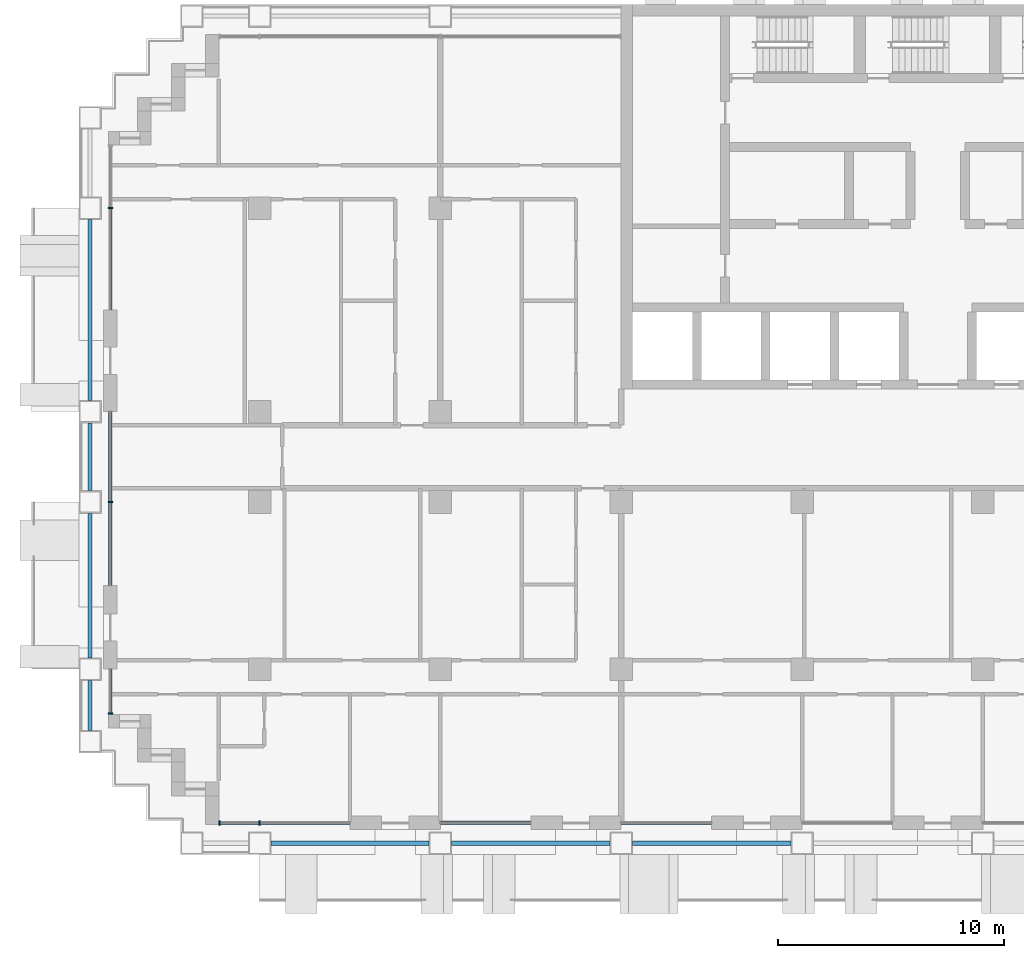
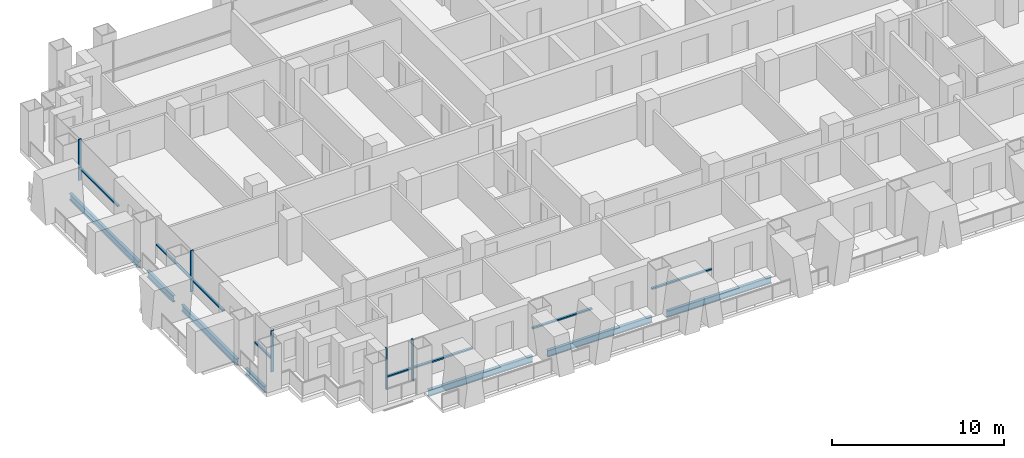
# One storey, part 2 of 18: 13 members, 7 beams, 6 elements without a shape of their own.
"""IFC4 building model written with IfcOpenShell, lengths in metres."""

from ifc_helpers import new_model, si_unit, direction, frame, origin, origin_2d, place, context, subcontext, project, spatial, rectangle, i_section, extrude, material, material_profile, profile_set, type_object, element, aggregate, save


model = new_model("IFC4")

# Units and contexts
model_context = context("Model", 3, precision=1e-05, world=origin(), true_north=direction((0.0, 1.0)))
body_context = subcontext(model_context, "Body", "Model", "MODEL_VIEW")
ifc_project = project(units=[si_unit("LENGTHUNIT", "METRE"), si_unit("AREAUNIT", "SQUARE_METRE"), si_unit("VOLUMEUNIT", "CUBIC_METRE"), si_unit("PLANEANGLEUNIT", "RADIAN"), si_unit("MASSUNIT", "GRAM", prefix="KILO")], contexts=[model_context])

# Site, building, storey
site_placement = place(None, origin())
site = spatial("IfcSite", under=ifc_project, at=site_placement, CompositionType="ELEMENT")
building_placement = place(site_placement, origin())
building = spatial("IfcBuilding", under=site, at=building_placement, Name="Vidyagriha Tower", CompositionType="ELEMENT")
storey_placement = place(building_placement, frame((0.0, 0.0, 51.199951171875)))
storey = spatial("IfcBuildingStorey", under=building, at=storey_placement, Name="L13", CompositionType="ELEMENT", Elevation=51.199951171875)

# Beams
ifc_material_1 = material(Name="Steel ASTM A992 Grade 50", Category="steel")
ifc_material_profile_1 = material_profile(ifc_material_1, i_section(OverallWidth=0.19189453125, OverallDepth=0.46240234375, WebThickness=0.010498046875, FlangeThickness=0.017578125, at=origin_2d()), Name="W18X60")
ifc_profile_set_1 = profile_set([ifc_material_profile_1], Name="Steel ASTM A992 Grade 50")
beam_type = type_object("IfcBeamType", Name="Edge beam W18X60", PredefinedType="SPANDREL", material=ifc_profile_set_1)
for number, where, z_axis, x_axis, name in (
    (1, (-29.5, -17.10009765625, -0.510986328125), (1.0, 0.0, 0.0), (0.0, 1.0, 0.0), "st-beam-L13-S02"),
    (2, (-21.5, -17.10009765625, -0.510986328125), (1.0, 0.0, 0.0), (0.0, 1.0, 0.0), "st-beam-L13-S03"),
    (3, (-13.5, -17.10009765625, -0.510986328125), (1.0, 0.0, 0.0), (0.0, 1.0, 0.0), "st-beam-L13-S04"),
):
    element("IfcBeam", number, at=place(storey_placement, frame(where, z_axis=z_axis, x_axis=x_axis)), inside=storey, type_object=beam_type, Name=name, PredefinedType="SPANDREL", context=body_context, shape_type="SweptSolid", body=[
        extrude(i_section(OverallWidth=0.19189453125, OverallDepth=0.46240234375, WebThickness=0.010498046875, FlangeThickness=0.017578125, at=origin_2d()), origin(), (0.0, 0.0, 1.0), 7.0),
    ])
beam_1_placement = place(storey_placement, frame((-37.5, -12.10009765625, -0.510986328125), z_axis=(0.0, 1.0, 0.0), x_axis=(-1.0, 0.0, 0.0)))
element("IfcBeam", 4, at=beam_1_placement, inside=storey, type_object=beam_type, Name="st-beam-L13-W10", PredefinedType="SPANDREL", context=body_context, shape_type="SweptSolid", body=[
    extrude(i_section(OverallWidth=0.19189453125, OverallDepth=0.46240234375, WebThickness=0.010498046875, FlangeThickness=0.017578125, at=origin_2d()), origin(), (0.0, 0.0, 1.0), 2.2001953125),
])
beam_2_placement = place(storey_placement, frame((-37.5, -8.89990234375, -0.510986328125), z_axis=(0.0, 1.0, 0.0), x_axis=(-1.0, 0.0, 0.0)))
element("IfcBeam", 5, at=beam_2_placement, inside=storey, type_object=beam_type, Name="st-beam-L13-W11", PredefinedType="SPANDREL", context=body_context, shape_type="SweptSolid", body=[
    extrude(i_section(OverallWidth=0.19189453125, OverallDepth=0.46240234375, WebThickness=0.010498046875, FlangeThickness=0.017578125, at=origin_2d()), origin(), (0.0, 0.0, 1.0), 6.39990234375),
])
beam_3_placement = place(storey_placement, frame((-37.5, -1.5, -0.510986328125), z_axis=(0.0, 1.0, 0.0), x_axis=(-1.0, 0.0, 0.0)))
element("IfcBeam", 6, at=beam_3_placement, inside=storey, type_object=beam_type, Name="st-beam-L13-W12", PredefinedType="SPANDREL", context=body_context, shape_type="SweptSolid", body=[
    extrude(i_section(OverallWidth=0.19189453125, OverallDepth=0.46240234375, WebThickness=0.010498046875, FlangeThickness=0.017578125, at=origin_2d()), origin(), (0.0, 0.0, 1.0), 3.0),
])
beam_4_placement = place(storey_placement, frame((-37.5, 2.5, -0.510986328125), z_axis=(0.0, 1.0, 0.0), x_axis=(-1.0, 0.0, 0.0)))
element("IfcBeam", 7, at=beam_4_placement, inside=storey, type_object=beam_type, Name="st-beam-L13-W13", PredefinedType="SPANDREL", context=body_context, shape_type="SweptSolid", body=[
    extrude(i_section(OverallWidth=0.19189453125, OverallDepth=0.46240234375, WebThickness=0.010498046875, FlangeThickness=0.017578125, at=origin_2d()), origin(), (0.0, 0.0, 1.0), 8.0),
])

# Curtain wall, member
ifc_material_2 = material(Name="Aluminium and glass curtain wall", Category="aluminium")
curtain_wall_type = type_object("IfcCurtainWallType", Name="Dwelling skin unitised curtain wall", PredefinedType="USERDEFINED", material=ifc_material_2)
curtain_wall_1_placement = place(storey_placement, origin())
curtain_wall_1 = element("IfcCurtainWall", 8, at=curtain_wall_1_placement, inside=storey, type_object=curtain_wall_type, Name="CW1 dwelling skin", ObjectType="UNITISED", PredefinedType="USERDEFINED")
ifc_material_3 = material(Name="Aluminium black anodised", Category="aluminium")
ifc_material_profile_2 = material_profile(ifc_material_3, rectangle(XDim=0.199951171875, YDim=0.070068359375, at=origin_2d()), Name="Mullion 70x200 black aluminium")
ifc_profile_set_2 = profile_set([ifc_material_profile_2], Name="Aluminium black anodised")
member_type_1 = type_object("IfcMemberType", Name="Mullion 70x200 black aluminium", PredefinedType="MULLION", material=ifc_profile_set_2)
member_1_placement = place(storey_placement, frame((-36.60009765625, 11.0, 0.0)))
member_1 = element("IfcMember", 9, at=member_1_placement, type_object=member_type_1, Name="CW1 mullion 2", PredefinedType="MULLION", context=body_context, shape_type="SweptSolid", body=[
    extrude(rectangle(XDim=0.199951171875, YDim=0.070068359375, at=origin_2d()), origin(), (0.0, 0.0, 1.0), 2.920166015625),
])

curtain_wall_2_placement = place(storey_placement, origin())
curtain_wall_2 = element("IfcCurtainWall", 10, at=curtain_wall_2_placement, inside=storey, type_object=curtain_wall_type, Name="CW1 dwelling skin", ObjectType="UNITISED", PredefinedType="USERDEFINED")
member_2_placement = place(storey_placement, frame((-36.60009765625, -2.0, 0.0)))
member_2 = element("IfcMember", 11, at=member_2_placement, type_object=member_type_1, Name="CW1 mullion 2", PredefinedType="MULLION", context=body_context, shape_type="SweptSolid", body=[
    extrude(rectangle(XDim=0.199951171875, YDim=0.070068359375, at=origin_2d()), origin(), (0.0, 0.0, 1.0), 2.920166015625),
])

curtain_wall_3_placement = place(storey_placement, origin())
curtain_wall_3 = element("IfcCurtainWall", 12, at=curtain_wall_3_placement, inside=storey, type_object=curtain_wall_type, Name="CW1 dwelling skin", ObjectType="UNITISED", PredefinedType="USERDEFINED")
member_3_placement = place(storey_placement, frame((-36.60009765625, -11.364990234375, 0.0)))
member_3 = element("IfcMember", 13, at=member_3_placement, type_object=member_type_1, Name="CW1 mullion 2", PredefinedType="MULLION", context=body_context, shape_type="SweptSolid", body=[
    extrude(rectangle(XDim=0.199951171875, YDim=0.070068359375, at=origin_2d()), origin(), (0.0, 0.0, 1.0), 2.920166015625),
])

# Curtain wall, members
curtain_wall_4_placement = place(storey_placement, origin())
curtain_wall_4 = element("IfcCurtainWall", 14, at=curtain_wall_4_placement, inside=storey, type_object=curtain_wall_type, Name="CW1 dwelling skin", ObjectType="UNITISED", PredefinedType="USERDEFINED")
member_4_placement = place(storey_placement, frame((-31.764892578125, -16.199951171875, 0.0), z_axis=(0.0, 0.0, 1.0), x_axis=(0.0, 1.0, 0.0)))
member_4 = element("IfcMember", 15, at=member_4_placement, type_object=member_type_1, Name="CW1 mullion 1", PredefinedType="MULLION", context=body_context, shape_type="SweptSolid", body=[
    extrude(rectangle(XDim=0.199951171875, YDim=0.070068359375, at=origin_2d()), origin(), (0.0, 0.0, 1.0), 2.920166015625),
])
member_5_placement = place(storey_placement, frame((-30.0, -16.199951171875, 0.0), z_axis=(0.0, 0.0, 1.0), x_axis=(0.0, 1.0, 0.0)))
member_5 = element("IfcMember", 16, at=member_5_placement, type_object=member_type_1, Name="CW1 mullion 2", PredefinedType="MULLION", context=body_context, shape_type="SweptSolid", body=[
    extrude(rectangle(XDim=0.199951171875, YDim=0.070068359375, at=origin_2d()), origin(), (0.0, 0.0, 1.0), 2.920166015625),
])

# Member
ifc_material_4 = material(Name="Aluminium black anodised", Category="aluminium")
ifc_material_profile_3 = material_profile(ifc_material_4, rectangle(XDim=0.159912109375, YDim=0.10009765625, at=origin_2d()), Name="Transom 100x160 black aluminium")
ifc_profile_set_3 = profile_set([ifc_material_profile_3], Name="Aluminium black anodised")
member_type_2 = type_object("IfcMemberType", Name="Transom 100x160 black aluminium", PredefinedType="USERDEFINED", material=ifc_profile_set_3)
member_6_placement = place(storey_placement, frame((-36.60009765625, 10.965087890625, 0.900146484375), z_axis=(0.0, -1.0, 0.0), x_axis=(1.0, 0.0, 0.0)))
member_6 = element("IfcMember", 17, at=member_6_placement, type_object=member_type_2, Name="CW1 transom 2.1", ObjectType="TRANSOM", PredefinedType="USERDEFINED", context=body_context, shape_type="SweptSolid", body=[
    extrude(rectangle(XDim=0.159912109375, YDim=0.10009765625, at=origin_2d()), origin(), (0.0, 0.0, 1.0), 4.465087890625),
])

aggregate(curtain_wall_1, [member_1, member_6])

member_7_placement = place(storey_placement, frame((-36.60009765625, 2.0, 0.900146484375), z_axis=(0.0, -1.0, 0.0), x_axis=(1.0, 0.0, 0.0)))
member_7 = element("IfcMember", 18, at=member_7_placement, type_object=member_type_2, Name="CW1 transom 1.1", ObjectType="TRANSOM", PredefinedType="USERDEFINED", context=body_context, shape_type="SweptSolid", body=[
    extrude(rectangle(XDim=0.159912109375, YDim=0.10009765625, at=origin_2d()), origin(), (0.0, 0.0, 1.0), 3.965087890625),
])

member_8_placement = place(storey_placement, frame((-36.60009765625, -2.034912109375, 0.900146484375), z_axis=(0.0, -1.0, 0.0), x_axis=(1.0, 0.0, 0.0)))
member_8 = element("IfcMember", 19, at=member_8_placement, type_object=member_type_2, Name="CW1 transom 2.1", ObjectType="TRANSOM", PredefinedType="USERDEFINED", context=body_context, shape_type="SweptSolid", body=[
    extrude(rectangle(XDim=0.159912109375, YDim=0.10009765625, at=origin_2d()), origin(), (0.0, 0.0, 1.0), 3.6650390625),
])

aggregate(curtain_wall_2, [member_2, member_7, member_8])

member_9_placement = place(storey_placement, frame((-36.60009765625, -9.39990234375, 0.900146484375), z_axis=(0.0, -1.0, 0.0), x_axis=(1.0, 0.0, 0.0)))
member_9 = element("IfcMember", 20, at=member_9_placement, type_object=member_type_2, Name="CW1 transom 1.1", ObjectType="TRANSOM", PredefinedType="USERDEFINED", context=body_context, shape_type="SweptSolid", body=[
    extrude(rectangle(XDim=0.159912109375, YDim=0.10009765625, at=origin_2d()), origin(), (0.0, 0.0, 1.0), 1.93017578125),
])

aggregate(curtain_wall_3, [member_3, member_9])

member_10_placement = place(storey_placement, frame((-31.72998046875, -16.199951171875, 0.900146484375), z_axis=(1.0, 0.0, 0.0), x_axis=(0.0, 1.0, 0.0)))
member_10 = element("IfcMember", 21, at=member_10_placement, type_object=member_type_2, Name="CW1 transom 1.1", ObjectType="TRANSOM", PredefinedType="USERDEFINED", context=body_context, shape_type="SweptSolid", body=[
    extrude(rectangle(XDim=0.159912109375, YDim=0.10009765625, at=origin_2d()), origin(), (0.0, 0.0, 1.0), 1.695068359375),
])

member_11_placement = place(storey_placement, frame((-29.965087890625, -16.199951171875, 0.900146484375), z_axis=(1.0, 0.0, 0.0), x_axis=(0.0, 1.0, 0.0)))
member_11 = element("IfcMember", 22, at=member_11_placement, type_object=member_type_2, Name="CW1 transom 2.1", ObjectType="TRANSOM", PredefinedType="USERDEFINED", context=body_context, shape_type="SweptSolid", body=[
    extrude(rectangle(XDim=0.159912109375, YDim=0.10009765625, at=origin_2d()), origin(), (0.0, 0.0, 1.0), 3.965087890625),
])

aggregate(curtain_wall_4, [member_4, member_5, member_10, member_11])

# Curtain wall, member
curtain_wall_5_placement = place(storey_placement, origin())
curtain_wall_5 = element("IfcCurtainWall", 23, at=curtain_wall_5_placement, inside=storey, type_object=curtain_wall_type, Name="CW1 dwelling skin", ObjectType="UNITISED", PredefinedType="USERDEFINED")
member_12_placement = place(storey_placement, frame((-22.0, -16.199951171875, 0.900146484375), z_axis=(1.0, 0.0, 0.0), x_axis=(0.0, 1.0, 0.0)))
member_12 = element("IfcMember", 24, at=member_12_placement, type_object=member_type_2, Name="CW1 transom 1.1", ObjectType="TRANSOM", PredefinedType="USERDEFINED", context=body_context, shape_type="SweptSolid", body=[
    extrude(rectangle(XDim=0.159912109375, YDim=0.10009765625, at=origin_2d()), origin(), (0.0, 0.0, 1.0), 4.0),
])
aggregate(curtain_wall_5, [member_12])

curtain_wall_6_placement = place(storey_placement, origin())
curtain_wall_6 = element("IfcCurtainWall", 25, at=curtain_wall_6_placement, inside=storey, type_object=curtain_wall_type, Name="CW1 dwelling skin", ObjectType="UNITISED", PredefinedType="USERDEFINED")
member_13_placement = place(storey_placement, frame((-14.0, -16.199951171875, 0.900146484375), z_axis=(1.0, 0.0, 0.0), x_axis=(0.0, 1.0, 0.0)))
member_13 = element("IfcMember", 26, at=member_13_placement, type_object=member_type_2, Name="CW1 transom 1.1", ObjectType="TRANSOM", PredefinedType="USERDEFINED", context=body_context, shape_type="SweptSolid", body=[
    extrude(rectangle(XDim=0.159912109375, YDim=0.10009765625, at=origin_2d()), origin(), (0.0, 0.0, 1.0), 4.0),
])
aggregate(curtain_wall_6, [member_13])

save(model, "model.ifc")
